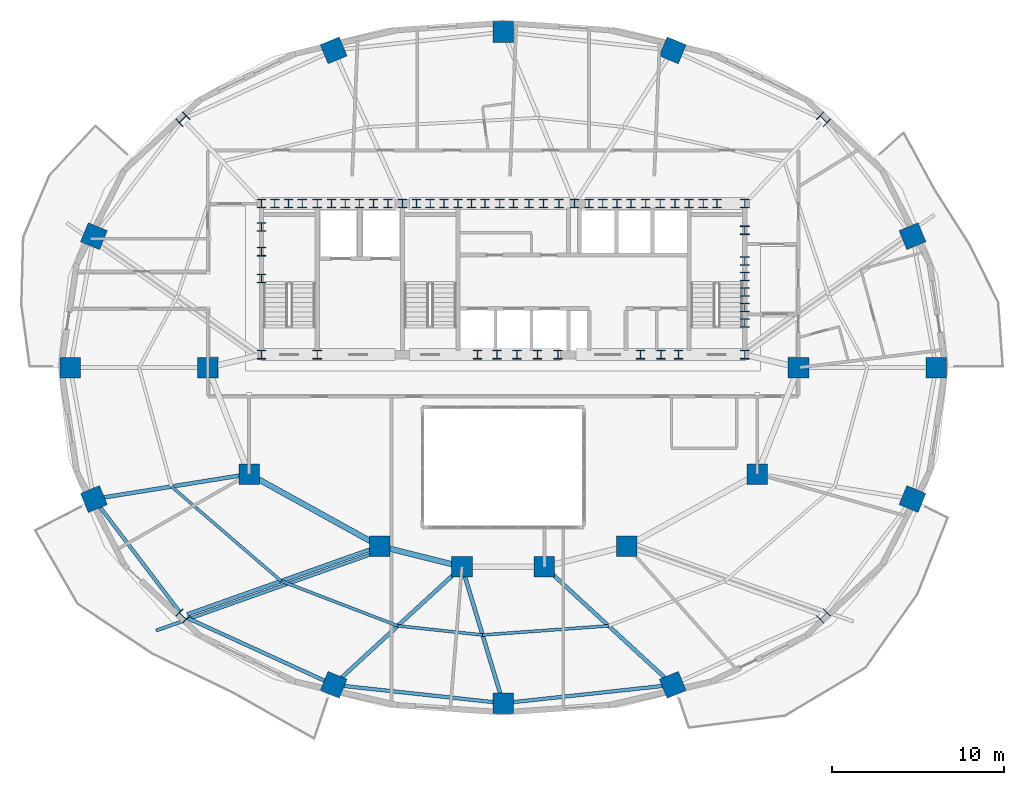
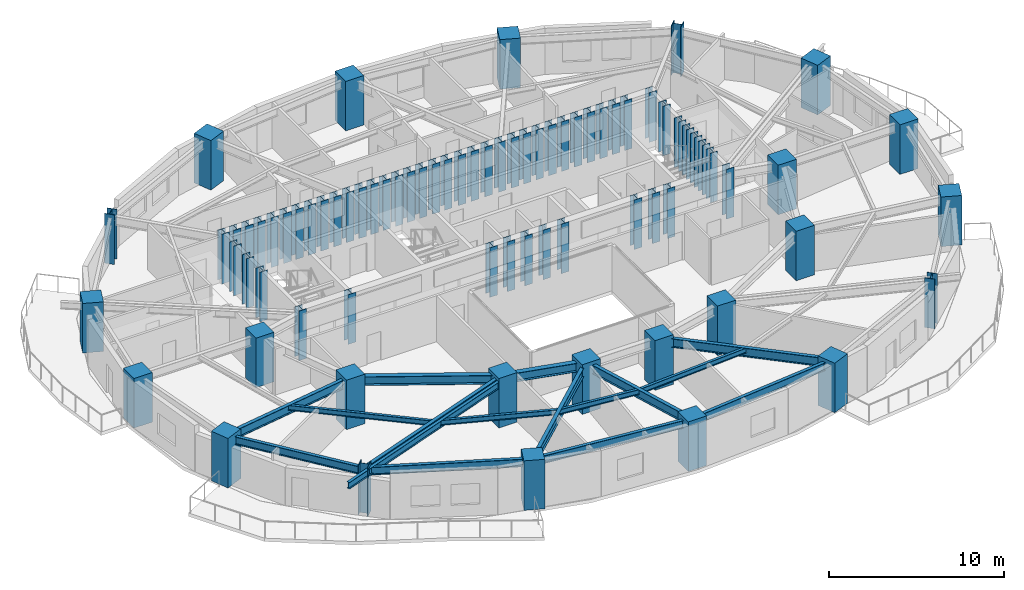
# One storey, part 1 of 13: 78 columns, 16 beams.
"""IFC4 building model written with IfcOpenShell, lengths in metres."""

import ifcopenshell
import ifcopenshell.guid

model = None  # the IFC model being written
_history = None  # IfcOwnerHistory: only IFC2X3 demands one
_inside = {}  # id of a spatial element -> (the spatial element, [elements in it])
_under = {}  # id of a project, library or spatial element -> (it, [spatial elements below it])
_declared = {}  # id of a project -> (the project, [libraries it declares])
_typed = {}  # id of a type object -> (the type object, [elements of that type])
_made_of = {}  # id of a material, layer set ... -> (it, [elements and type objects made of it])


def new_model(schema):
    """Start an empty IFC model of exactly this schema.

    Asked for "IFC4X3", IfcOpenShell would pick the latest addendum, in which some entities
    have other attributes; the version numbers below select the first issue.
    IFC2X3 requires an IfcOwnerHistory on every rooted entity: one is made here for all.
    """
    global model, _history
    if schema == "IFC4X3":
        model = ifcopenshell.file(schema_version=(4, 3, 0, 0))
    else:
        model = ifcopenshell.file(schema=schema)
    _inside.clear()
    _under.clear()
    _declared.clear()
    _typed.clear()
    _made_of.clear()
    _history = None
    if model.schema == "IFC2X3":
        org = make("IfcOrganization", Name="unknown")
        user = make(
            "IfcPersonAndOrganization",
            ThePerson=make("IfcPerson", FamilyName="unknown"),
            TheOrganization=org,
        )
        app = make(
            "IfcApplication",
            ApplicationDeveloper=org,
            Version="unknown",
            ApplicationFullName="unknown",
            ApplicationIdentifier="unknown",
        )
        _history = make(
            "IfcOwnerHistory",
            OwningUser=user,
            OwningApplication=app,
            ChangeAction="ADDED",
            CreationDate=0,
        )
    return model


def make(cls, **values):
    """One entity of the class cls with the attributes given. An attribute that is None is left unset."""
    return model.create_entity(
        cls, **{name: value for name, value in values.items() if value is not None}
    )


def rooted(cls, **values):
    """An entity with a GlobalId (a new one), such as an element, a storey or a relation."""
    return make(cls, GlobalId=ifcopenshell.guid.new(), OwnerHistory=_history, **values)


def si_unit(unit_type, name, prefix=None):
    """IfcSIUnit, for example si_unit("LENGTHUNIT", "METRE", prefix="MILLI")."""
    return make("IfcSIUnit", UnitType=unit_type, Prefix=prefix, Name=name)


def assignment(units):
    """IfcUnitAssignment: the units of a project."""
    return None if units is None else make("IfcUnitAssignment", Units=units)


def point(xyz):
    """IfcCartesianPoint."""
    return None if xyz is None else make("IfcCartesianPoint", Coordinates=xyz)


def direction(xyz):
    """IfcDirection."""
    return None if xyz is None else make("IfcDirection", DirectionRatios=xyz)


def frame(location, z_axis=None, x_axis=None):
    """IfcAxis2Placement3D, a coordinate frame: its origin and axes. An axis left out is left unset."""
    return make(
        "IfcAxis2Placement3D",
        Location=point(location),
        Axis=direction(z_axis),
        RefDirection=direction(x_axis),
    )


def frame_2d(location, x_axis=None):
    """IfcAxis2Placement2D, a coordinate frame in the plane: its origin and x axis."""
    return make(
        "IfcAxis2Placement2D", Location=point(location), RefDirection=direction(x_axis)
    )


def origin():
    """The frame at (0, 0, 0) with its axes left unset."""
    return frame((0.0, 0.0, 0.0))


def origin_2d():
    """The frame at (0, 0) in the plane with its x axis left unset."""
    return frame_2d((0.0, 0.0))


def place(relative_to, where):
    """IfcLocalPlacement: puts the frame where relative to a parent placement (None: the world)."""
    return make(
        "IfcLocalPlacement", PlacementRelTo=relative_to, RelativePlacement=where
    )


def context(
    kind, dimensions, precision=None, world=None, true_north=None, identifier=None
):
    """IfcGeometricRepresentationContext, for example the 3D "Model" context."""
    return make(
        "IfcGeometricRepresentationContext",
        ContextIdentifier=identifier,
        ContextType=kind,
        CoordinateSpaceDimension=dimensions,
        Precision=precision,
        WorldCoordinateSystem=world,
        TrueNorth=true_north,
    )


def subcontext(parent, identifier, kind, view, scale=None):
    """IfcGeometricRepresentationSubContext, for example "Body" below "Model"."""
    return make(
        "IfcGeometricRepresentationSubContext",
        ContextIdentifier=identifier,
        ContextType=kind,
        ParentContext=parent,
        TargetScale=scale,
        TargetView=view,
    )


def project(units=None, contexts=None):
    """IfcProject with its units and contexts."""
    return rooted(
        "IfcProject",
        Name="project",
        RepresentationContexts=contexts,
        UnitsInContext=assignment(units),
    )


def spatial(cls, under=None, at=None, **own):
    """A site, building, storey or space (cls), placed at a placement, below another one or the project."""
    s = rooted(cls, ObjectPlacement=at, **own)
    if under is not None:
        _under.setdefault(under.id(), (under, []))[1].append(s)
    return s


def profile(cls, at=None, kind="AREA", **sizes):
    """A parametric profile (cls). Its sizes go by their IFC names, for example OverallWidth=200.0."""
    return make(cls, ProfileType=kind, Position=at, **sizes)


def rectangle(**sizes):
    """IfcRectangleProfileDef."""
    return profile("IfcRectangleProfileDef", **sizes)


def i_section(**sizes):
    """IfcIShapeProfileDef."""
    return profile("IfcIShapeProfileDef", **sizes)


def extrude(swept, where, along, depth):
    """IfcExtrudedAreaSolid: the profile swept, set in the frame where, extruded along a direction by depth."""
    return make(
        "IfcExtrudedAreaSolid",
        SweptArea=swept,
        Position=where,
        ExtrudedDirection=direction(along),
        Depth=depth,
    )


def shape(context_of_items, identifier, shape_type, items):
    """IfcShapeRepresentation: the items that make up one representation, for example the "Body"."""
    return make(
        "IfcShapeRepresentation",
        ContextOfItems=context_of_items,
        RepresentationIdentifier=identifier,
        RepresentationType=shape_type,
        Items=items,
    )


def material(Name=None, Category=None):
    """IfcMaterial."""
    return make("IfcMaterial", Name=Name, Category=Category)


def material_profile(
    of_material, cross_section, Name=None, Category=None, Priority=None
):
    """IfcMaterialProfile: a cross section and its material."""
    return make(
        "IfcMaterialProfile",
        Name=Name,
        Material=of_material,
        Profile=cross_section,
        Priority=Priority,
        Category=Category,
    )


def profile_set(profiles, Name=None, composite=None):
    """IfcMaterialProfileSet."""
    return make(
        "IfcMaterialProfileSet",
        Name=Name,
        MaterialProfiles=profiles,
        CompositeProfile=composite,
    )


def made_of(thing, what):
    """Note that an element or type object is made of a material, layer set ...; save() writes the relation."""
    if what is not None:
        _made_of.setdefault(what.id(), (what, []))[1].append(thing)
    return thing


def type_object(cls, material=None, **own):
    """A type object (cls), such as IfcWallType, which elements share."""
    return made_of(rooted(cls, **own), material)


def element(
    cls,
    number,
    at=None,
    inside=None,
    cuts=None,
    type_object=None,
    material=None,
    context=None,
    identifier="Body",
    shape_type=None,
    held_by="IfcProductDefinitionShape",
    body=None,
    shapes=None,
    **own,
):
    """One element of the class cls, such as IfcWall. Its Tag is "e" and its number.

    at: its placement. inside: the storey or other place that contains it. cuts: it is an
    opening in that element (IfcRelVoidsElement). A single representation is given by context,
    identifier, shape_type and body (its items); several are given by shapes. held_by: the class
    of the entity that holds the representations. save() writes the other relations.
    """
    e = rooted(cls, Tag="e%d" % number, ObjectPlacement=at, **own)
    if body is not None:
        shapes = [shape(context, identifier, shape_type, body)]
    if shapes is not None:
        e.Representation = make(held_by, Representations=shapes)
    if inside is not None:
        _inside.setdefault(inside.id(), (inside, []))[1].append(e)
    if cuts is not None:
        rooted(
            "IfcRelVoidsElement", RelatingBuildingElement=cuts, RelatedOpeningElement=e
        )
    if type_object is not None:
        _typed.setdefault(type_object.id(), (type_object, []))[1].append(e)
    return made_of(e, material)


def aggregate(whole, parts):
    """IfcRelAggregates: a whole, such as a stair, and the parts it consists of."""
    return rooted("IfcRelAggregates", RelatingObject=whole, RelatedObjects=parts)


def save(model, path):
    """Write the relations noted so far, then the file.

    IfcRelAggregates (storeys below a building ...), IfcRelContainedInSpatialStructure (elements
    in a storey), IfcRelDefinesByType, IfcRelAssociatesMaterial and IfcRelDeclares: one each for
    every whole, place, type object, material and project.
    """
    for whole, parts in _under.values():
        aggregate(whole, parts)
    for where, things in _inside.values():
        rooted(
            "IfcRelContainedInSpatialStructure",
            RelatedElements=things,
            RelatingStructure=where,
        )
    for kind, things in _typed.values():
        rooted("IfcRelDefinesByType", RelatedObjects=things, RelatingType=kind)
    for what, things in _made_of.values():
        rooted("IfcRelAssociatesMaterial", RelatedObjects=things, RelatingMaterial=what)
    for by, libraries in _declared.values():
        rooted("IfcRelDeclares", RelatingContext=by, RelatedDefinitions=libraries)
    model.write(path)


model = new_model("IFC4")

# Units and contexts
model_context = context("Model", 3, precision=1e-05, world=origin(), true_north=direction((0.0, 1.0)))
body_context = subcontext(model_context, "Body", "Model", "MODEL_VIEW")
ifc_project = project(units=[si_unit("LENGTHUNIT", "METRE"), si_unit("AREAUNIT", "SQUARE_METRE"), si_unit("VOLUMEUNIT", "CUBIC_METRE"), si_unit("PLANEANGLEUNIT", "RADIAN"), si_unit("MASSUNIT", "GRAM", prefix="KILO")], contexts=[model_context])

# Site, building, storey
site_placement = place(None, origin())
site = spatial("IfcSite", under=ifc_project, at=site_placement, CompositionType="ELEMENT")
building_placement = place(site_placement, origin())
building = spatial("IfcBuilding", under=site, at=building_placement, Name="Haldorwick Loom Tower", CompositionType="ELEMENT")
storey_placement = place(building_placement, frame((0.0, 0.0, 135.64990234375)))
storey = spatial("IfcBuildingStorey", under=building, at=storey_placement, Name="L36", CompositionType="ELEMENT", Elevation=135.64990234375)

# Columns
ifc_material_1 = material(Name="Concrete C60 (60 MPa)", Category="concrete")
ifc_material_profile_1 = material_profile(ifc_material_1, rectangle(XDim=1.199951171875, YDim=1.199951171875, at=origin_2d()), Name="RC1200X1200", Category="concrete")
ifc_profile_set_1 = profile_set([ifc_material_profile_1], Name="Concrete C60 (60 MPa)")
column_type_1 = type_object("IfcColumnType", Name="STR-COL-RC1200", PredefinedType="COLUMN", material=ifc_profile_set_1)
for number, where, z_axis, x_axis, name in (
    (1, (53.199951171875, 26.0, 0.0), (0.0, 0.0, 1.0), (1.0, 0.0, 0.0), "L36 Inner Column IC-01"),
    (2, (50.800048828125, 19.800048828125, 0.0), (0.0, 0.0, 1.0), (1.0, 0.0, 0.0), "L36 Inner Column IC-02"),
    (3, (43.199951171875, 15.60009765625, 0.0), (0.0, 0.0, 1.0), (1.0, 0.0, 0.0), "L36 Inner Column IC-03"),
    (4, (38.39990234375, 14.39990234375, 0.0), (0.0, 0.0, 1.0), (1.0, 0.0, 0.0), "L36 Inner Column IC-04"),
    (5, (33.60009765625, 14.39990234375, 0.0), (0.0, 0.0, 1.0), (1.0, 0.0, 0.0), "L36 Inner Column IC-05"),
    (6, (28.800048828125, 15.60009765625, 0.0), (0.0, 0.0, 1.0), (1.0, 0.0, 0.0), "L36 Inner Column IC-06"),
    (7, (21.199951171875, 19.800048828125, 0.0), (0.0, 0.0, 1.0), (1.0, 0.0, 0.0), "L36 Inner Column IC-07"),
    (8, (18.800048828125, 26.0, 0.0), (0.0, 0.0, 1.0), (1.0, 0.0, 0.0), "L36 Inner Column IC-08"),
    (9, (61.217041015625, 26.0, 0.0), (0.0, 0.0, 1.0), (1.0, 0.0, 0.0), "L36 Perimeter Pier Column P01"),
    (10, (59.836181640625, 33.65380859375, 0.0), (0.0, 0.0, 1.0), (0.923879532511, 0.382683432365, 0.0), "L36 Perimeter Pier Column P02"),
    (11, (45.873291015625, 44.4775390625, 0.0), (0.0, 0.0, 1.0), (0.382683432365, 0.923879532511, 0.0), "L36 Perimeter Pier Column P04"),
    (12, (36.0, 45.544677734375, 0.0), (0.0, 0.0, 1.0), (0.0, 1.0, 0.0), "L36 Perimeter Pier Column P05"),
    (13, (26.126708984375, 44.4775390625, 0.0), (0.0, 0.0, 1.0), (-0.382683432365, 0.923879532511, 0.0), "L36 Perimeter Pier Column P06"),
    (14, (12.163818359375, 33.65380859375, 0.0), (0.0, 0.0, 1.0), (-0.923879532511, 0.382683432365, 0.0), "L36 Perimeter Pier Column P08"),
    (15, (10.782958984375, 26.0, 0.0), (0.0, 0.0, 1.0), (-1.0, 0.0, 0.0), "L36 Perimeter Pier Column P09"),
    (16, (12.163818359375, 18.34619140625, 0.0), (0.0, 0.0, 1.0), (-0.923879532511, -0.382683432365, 0.0), "L36 Perimeter Pier Column P10"),
    (17, (26.126708984375, 7.5224609375, 0.0), (0.0, 0.0, 1.0), (-0.382683432365, -0.923879532511, 0.0), "L36 Perimeter Pier Column P12"),
    (18, (36.0, 6.455322265625, 0.0), (0.0, 0.0, 1.0), (0.0, -1.0, 0.0), "L36 Perimeter Pier Column P13"),
    (19, (45.873291015625, 7.5224609375, 0.0), (0.0, 0.0, 1.0), (0.382683432365, -0.923879532511, 0.0), "L36 Perimeter Pier Column P14"),
    (20, (59.836181640625, 18.34619140625, 0.0), (0.0, 0.0, 1.0), (0.923879532511, -0.382683432365, 0.0), "L36 Perimeter Pier Column P16"),
):
    element("IfcColumn", number, at=place(storey_placement, frame(where, z_axis=z_axis, x_axis=x_axis)), inside=storey, type_object=column_type_1, Name=name, PredefinedType="COLUMN", context=body_context, shape_type="SweptSolid", body=[
        extrude(rectangle(XDim=1.199951171875, YDim=1.199951171875, at=origin_2d()), origin(), (0.0, 0.0, 1.0), 3.4501953125),
    ])
ifc_material_2 = material(Name="Steel CSA G40.21 350WT", Category="steel")
ifc_material_profile_2 = material_profile(ifc_material_2, i_section(OverallWidth=0.5, OverallDepth=0.5, WebThickness=0.02197265625, FlangeThickness=0.031982421875, at=origin_2d()), Name="WWF500X500", Category="steel")
ifc_profile_set_2 = profile_set([ifc_material_profile_2], Name="Steel CSA G40.21 350WT")
column_type_2 = type_object("IfcColumnType", Name="STR-COL-WWF500", PredefinedType="COLUMN", material=ifc_profile_set_2)
for number, where, z_axis, x_axis, name in (
    (21, (21.929931640625, 35.550048828125, 0.0), (0.0, 0.0, 1.0), (1.0, 0.0, 0.0), "L36 Core Pilaster CB-01"),
    (22, (23.5, 35.550048828125, 0.0), (0.0, 0.0, 1.0), (1.0, 0.0, 0.0), "L36 Core Pilaster CB-02"),
    (23, (25.169921875, 35.550048828125, 0.0), (0.0, 0.0, 1.0), (1.0, 0.0, 0.0), "L36 Core Pilaster CB-03"),
    (24, (26.800048828125, 35.550048828125, 0.0), (0.0, 0.0, 1.0), (1.0, 0.0, 0.0), "L36 Core Pilaster CB-04"),
    (25, (28.449951171875, 35.550048828125, 0.0), (0.0, 0.0, 1.0), (1.0, 0.0, 0.0), "L36 Core Pilaster CB-05"),
    (26, (30.1298828125, 35.550048828125, 0.0), (0.0, 0.0, 1.0), (1.0, 0.0, 0.0), "L36 Core Pilaster CB-06"),
    (27, (31.75, 35.550048828125, 0.0), (0.0, 0.0, 1.0), (1.0, 0.0, 0.0), "L36 Core Pilaster CB-07"),
    (28, (33.3701171875, 35.550048828125, 0.0), (0.0, 0.0, 1.0), (1.0, 0.0, 0.0), "L36 Core Pilaster CB-08"),
    (29, (34.949951171875, 35.550048828125, 0.0), (0.0, 0.0, 1.0), (1.0, 0.0, 0.0), "L36 Core Pilaster CB-09"),
    (30, (36.60009765625, 35.550048828125, 0.0), (0.0, 0.0, 1.0), (1.0, 0.0, 0.0), "L36 Core Pilaster CB-10"),
    (31, (38.35009765625, 35.550048828125, 0.0), (0.0, 0.0, 1.0), (1.0, 0.0, 0.0), "L36 Core Pilaster CB-11"),
    (32, (40.14990234375, 35.550048828125, 0.0), (0.0, 0.0, 1.0), (1.0, 0.0, 0.0), "L36 Core Pilaster CB-12"),
    (33, (41.800048828125, 35.550048828125, 0.0), (0.0, 0.0, 1.0), (1.0, 0.0, 0.0), "L36 Core Pilaster CB-13"),
    (34, (43.449951171875, 35.550048828125, 0.0), (0.0, 0.0, 1.0), (1.0, 0.0, 0.0), "L36 Core Pilaster CB-14"),
    (35, (45.14990234375, 35.550048828125, 0.0), (0.0, 0.0, 1.0), (1.0, 0.0, 0.0), "L36 Core Pilaster CB-15"),
    (36, (46.830078125, 35.550048828125, 0.0), (0.0, 0.0, 1.0), (1.0, 0.0, 0.0), "L36 Core Pilaster CB-16"),
    (37, (48.449951171875, 35.550048828125, 0.0), (0.0, 0.0, 1.0), (1.0, 0.0, 0.0), "L36 Core Pilaster CB-17"),
    (38, (50.070068359375, 35.550048828125, 0.0), (0.0, 0.0, 1.0), (1.0, 0.0, 0.0), "L36 Core Pilaster CB-18"),
    (39, (21.929931640625, 26.75, 0.0), (0.0, 0.0, 1.0), (1.0, 0.0, 0.0), "L36 Core Pilaster CB-19"),
    (40, (25.169921875, 26.75, 0.0), (0.0, 0.0, 1.0), (1.0, 0.0, 0.0), "L36 Core Pilaster CB-20"),
    (41, (34.5, 26.75, 0.0), (0.0, 0.0, 1.0), (1.0, 0.0, 0.0), "L36 Core Pilaster CB-21"),
    (42, (36.800048828125, 26.75, 0.0), (0.0, 0.0, 1.0), (1.0, 0.0, 0.0), "L36 Core Pilaster CB-22"),
    (43, (39.199951171875, 26.75, 0.0), (0.0, 0.0, 1.0), (1.0, 0.0, 0.0), "L36 Core Pilaster CB-23"),
    (44, (45.199951171875, 26.75, 0.0), (0.0, 0.0, 1.0), (1.0, 0.0, 0.0), "L36 Core Pilaster CB-24"),
    (45, (50.070068359375, 26.75, 0.0), (0.0, 0.0, 1.0), (1.0, 0.0, 0.0), "L36 Core Pilaster CB-25"),
    (46, (21.929931640625, 31.199951171875, 0.0), (0.0, 0.0, 1.0), (1.0, 0.0, 0.0), "L36 Core Pilaster CB-26"),
    (47, (21.929931640625, 32.75, 0.0), (0.0, 0.0, 1.0), (1.0, 0.0, 0.0), "L36 Core Pilaster CB-27"),
    (48, (21.929931640625, 34.199951171875, 0.0), (0.0, 0.0, 1.0), (1.0, 0.0, 0.0), "L36 Core Pilaster CB-28"),
    (49, (50.070068359375, 28.60009765625, 0.0), (0.0, 0.0, 1.0), (1.0, 0.0, 0.0), "L36 Core Pilaster CB-29"),
    (50, (50.070068359375, 30.39990234375, 0.0), (0.0, 0.0, 1.0), (1.0, 0.0, 0.0), "L36 Core Pilaster CB-30"),
    (51, (50.070068359375, 32.199951171875, 0.0), (0.0, 0.0, 1.0), (1.0, 0.0, 0.0), "L36 Core Pilaster CB-31"),
    (52, (50.070068359375, 34.0, 0.0), (0.0, 0.0, 1.0), (1.0, 0.0, 0.0), "L36 Core Pilaster CB-32"),
    (53, (22.699951171875, 35.550048828125, 0.0), (0.0, 0.0, 1.0), (1.0, 0.0, 0.0), "L36 Core Pilaster CB-33"),
    (54, (27.6201171875, 35.550048828125, 0.0), (0.0, 0.0, 1.0), (1.0, 0.0, 0.0), "L36 Core Pilaster CB-34"),
    (55, (32.550048828125, 35.550048828125, 0.0), (0.0, 0.0, 1.0), (1.0, 0.0, 0.0), "L36 Core Pilaster CB-35"),
    (56, (37.5, 35.550048828125, 0.0), (0.0, 0.0, 1.0), (1.0, 0.0, 0.0), "L36 Core Pilaster CB-36"),
    (57, (42.6201171875, 35.550048828125, 0.0), (0.0, 0.0, 1.0), (1.0, 0.0, 0.0), "L36 Core Pilaster CB-37"),
    (58, (47.64990234375, 35.550048828125, 0.0), (0.0, 0.0, 1.0), (1.0, 0.0, 0.0), "L36 Core Pilaster CB-38"),
    (59, (24.300048828125, 35.550048828125, 0.0), (0.0, 0.0, 1.0), (1.0, 0.0, 0.0), "L36 Core Pilaster CB-39"),
    (60, (26.0, 35.550048828125, 0.0), (0.0, 0.0, 1.0), (1.0, 0.0, 0.0), "L36 Core Pilaster CB-40"),
    (61, (29.300048828125, 35.550048828125, 0.0), (0.0, 0.0, 1.0), (1.0, 0.0, 0.0), "L36 Core Pilaster CB-41"),
    (62, (30.949951171875, 35.550048828125, 0.0), (0.0, 0.0, 1.0), (1.0, 0.0, 0.0), "L36 Core Pilaster CB-42"),
    (63, (34.14990234375, 35.550048828125, 0.0), (0.0, 0.0, 1.0), (1.0, 0.0, 0.0), "L36 Core Pilaster CB-43"),
    (64, (35.800048828125, 35.550048828125, 0.0), (0.0, 0.0, 1.0), (1.0, 0.0, 0.0), "L36 Core Pilaster CB-44"),
    (65, (39.25, 35.550048828125, 0.0), (0.0, 0.0, 1.0), (1.0, 0.0, 0.0), "L36 Core Pilaster CB-45"),
    (66, (41.0, 35.550048828125, 0.0), (0.0, 0.0, 1.0), (1.0, 0.0, 0.0), "L36 Core Pilaster CB-46"),
    (67, (44.300048828125, 35.550048828125, 0.0), (0.0, 0.0, 1.0), (1.0, 0.0, 0.0), "L36 Core Pilaster CB-47"),
    (68, (46.0, 35.550048828125, 0.0), (0.0, 0.0, 1.0), (1.0, 0.0, 0.0), "L36 Core Pilaster CB-48"),
    (69, (50.070068359375, 29.5, 0.0), (0.0, 0.0, 1.0), (1.0, 0.0, 0.0), "L36 Core Pilaster CB-49"),
    (70, (50.070068359375, 31.300048828125, 0.0), (0.0, 0.0, 1.0), (1.0, 0.0, 0.0), "L36 Core Pilaster CB-50"),
    (71, (35.64990234375, 26.75, 0.0), (0.0, 0.0, 1.0), (1.0, 0.0, 0.0), "L36 Core Pilaster CB-51"),
    (72, (38.0, 26.75, 0.0), (0.0, 0.0, 1.0), (1.0, 0.0, 0.0), "L36 Core Pilaster CB-52"),
    (73, (44.0, 26.75, 0.0), (0.0, 0.0, 1.0), (1.0, 0.0, 0.0), "L36 Core Pilaster CB-53"),
    (74, (46.199951171875, 26.75, 0.0), (0.0, 0.0, 1.0), (1.0, 0.0, 0.0), "L36 Core Pilaster CB-54"),
):
    element("IfcColumn", number, at=place(storey_placement, frame(where, z_axis=z_axis, x_axis=x_axis)), inside=storey, type_object=column_type_2, Name=name, PredefinedType="COLUMN", context=body_context, shape_type="SweptSolid", body=[
        extrude(i_section(OverallWidth=0.5, OverallDepth=0.5, WebThickness=0.02197265625, FlangeThickness=0.031982421875, at=origin_2d()), origin(), (0.0, 0.0, 1.0), 3.4501953125),
    ])
ifc_material_profile_3 = material_profile(ifc_material_2, i_section(OverallWidth=0.60009765625, OverallDepth=0.60009765625, WebThickness=0.02490234375, FlangeThickness=0.035888671875, at=origin_2d()), Name="WWF600X600", Category="steel")
ifc_profile_set_3 = profile_set([ifc_material_profile_3], Name="Steel CSA G40.21 350WT")
column_type_3 = type_object("IfcColumnType", Name="STR-COL-WWF600", PredefinedType="COLUMN", material=ifc_profile_set_3)
for number, where, z_axis, x_axis, name in (
    (75, (54.655517578125, 40.464111328125, 0.0), (0.0, 0.0, 1.0), (0.707106781187, 0.707106781187, 0.0), "L36 Perimeter Pier Column P03"),
    (76, (17.344482421875, 40.464111328125, 0.0), (0.0, 0.0, 1.0), (-0.707106781187, 0.707106781187, 0.0), "L36 Perimeter Pier Column P07"),
    (77, (17.344482421875, 11.535888671875, 0.0), (0.0, 0.0, 1.0), (-0.707106781187, -0.707106781187, 0.0), "L36 Perimeter Pier Column P11"),
    (78, (54.655517578125, 11.535888671875, 0.0), (0.0, 0.0, 1.0), (0.707106781187, -0.707106781187, 0.0), "L36 Perimeter Pier Column P15"),
):
    element("IfcColumn", number, at=place(storey_placement, frame(where, z_axis=z_axis, x_axis=x_axis)), inside=storey, type_object=column_type_3, Name=name, PredefinedType="COLUMN", context=body_context, shape_type="SweptSolid", body=[
        extrude(i_section(OverallWidth=0.60009765625, OverallDepth=0.60009765625, WebThickness=0.02490234375, FlangeThickness=0.035888671875, at=origin_2d()), origin(), (0.0, 0.0, 1.0), 3.4501953125),
    ])

# Beams
ifc_material_3 = material(Name="Steel CSA G40.21 350W", Category="steel")
ifc_material_profile_4 = material_profile(ifc_material_3, i_section(OverallWidth=0.193115234375, OverallDepth=0.466064453125, WebThickness=0.011474609375, FlangeThickness=0.01904296875, at=origin_2d()), Name="W460X97", Category="steel")
ifc_profile_set_4 = profile_set([ifc_material_profile_4], Name="Steel CSA G40.21 350W")
beam_type_1 = type_object("IfcBeamType", Name="STR-BM-BAL460", PredefinedType="BEAM", material=ifc_profile_set_4)
beam_1_placement = place(storey_placement, frame((28.403564453125, 15.162109375, 2.97705078125), z_axis=(-0.942447955832, -0.334352883266, 0.0), x_axis=(0.334352883266, -0.942447955832, 0.0)))
element("IfcBeam", 79, at=beam_1_placement, inside=storey, type_object=beam_type_1, Name="L36 Continuous Back-Spanned Balcony Beam 2", PredefinedType="BEAM", context=body_context, shape_type="SweptSolid", body=[
    extrude(i_section(OverallWidth=0.193115234375, OverallDepth=0.466064453125, WebThickness=0.011474609375, FlangeThickness=0.01904296875, at=origin_2d()), origin(), (0.0, 0.0, 1.0), 13.385009765625),
])
ifc_material_profile_5 = material_profile(ifc_material_3, i_section(OverallWidth=0.172119140625, OverallDepth=0.35791015625, WebThickness=0.0078125, FlangeThickness=0.01318359375, at=origin_2d()), Name="W360X57", Category="steel")
ifc_profile_set_5 = profile_set([ifc_material_profile_5], Name="Steel CSA G40.21 350W")
beam_type_2 = type_object("IfcBeamType", Name="STR-BM-J360", PredefinedType="JOIST", material=ifc_profile_set_5)
beam_2_placement = place(storey_placement, frame((16.681884765625, 19.072998046875, 3.031005859375), z_axis=(0.75763401328, -0.652679631918, 0.0), x_axis=(0.652679631918, 0.75763401328, 0.0)))
element("IfcBeam", 80, at=beam_2_placement, inside=storey, type_object=beam_type_2, Name="L36 Mid-Bay Secondary Joist 10", PredefinedType="JOIST", context=body_context, shape_type="SweptSolid", body=[
    extrude(i_section(OverallWidth=0.172119140625, OverallDepth=0.35791015625, WebThickness=0.0078125, FlangeThickness=0.01318359375, at=origin_2d()), origin(), (0.0, 0.0, 1.0), 8.4345703125),
])
beam_3_placement = place(storey_placement, frame((23.072265625, 13.56787109375, 3.031005859375), z_axis=(0.933586737031, -0.358351509609, 0.0), x_axis=(0.358351509609, 0.933586737031, 0.0)))
element("IfcBeam", 81, at=beam_3_placement, inside=storey, type_object=beam_type_2, Name="L36 Mid-Bay Secondary Joist 11", PredefinedType="JOIST", context=body_context, shape_type="SweptSolid", body=[
    extrude(i_section(OverallWidth=0.172119140625, OverallDepth=0.35791015625, WebThickness=0.0078125, FlangeThickness=0.01318359375, at=origin_2d()), origin(), (0.0, 0.0, 1.0), 7.274169921875),
])
beam_4_placement = place(storey_placement, frame((29.86328125, 10.961181640625, 3.031005859375), z_axis=(0.994212584227, -0.107430616514, 0.0), x_axis=(0.107430616514, 0.994212584227, 0.0)))
element("IfcBeam", 82, at=beam_4_placement, inside=storey, type_object=beam_type_2, Name="L36 Mid-Bay Secondary Joist 12", PredefinedType="JOIST", context=body_context, shape_type="SweptSolid", body=[
    extrude(i_section(OverallWidth=0.172119140625, OverallDepth=0.35791015625, WebThickness=0.0078125, FlangeThickness=0.01318359375, at=origin_2d()), origin(), (0.0, 0.0, 1.0), 4.965576171875),
])
beam_5_placement = place(storey_placement, frame((34.800048828125, 10.427734375, 3.031005859375), z_axis=(0.997367082818, 0.072518288109, 0.0), x_axis=(-0.072518288109, 0.997367082818, 0.0)))
element("IfcBeam", 83, at=beam_5_placement, inside=storey, type_object=beam_type_2, Name="L36 Mid-Bay Secondary Joist 13", PredefinedType="JOIST", context=body_context, shape_type="SweptSolid", body=[
    extrude(i_section(OverallWidth=0.172119140625, OverallDepth=0.35791015625, WebThickness=0.0078125, FlangeThickness=0.01318359375, at=origin_2d()), origin(), (0.0, 0.0, 1.0), 7.35595703125),
])
ifc_material_profile_6 = material_profile(ifc_material_3, i_section(OverallWidth=0.2119140625, OverallDepth=0.5439453125, WebThickness=0.01318359375, FlangeThickness=0.021240234375, at=origin_2d()), Name="W530X123", Category="steel")
ifc_profile_set_6 = profile_set([ifc_material_profile_6], Name="Steel CSA G40.21 350W")
beam_type_3 = type_object("IfcBeamType", Name="STR-BM-SP530", PredefinedType="SPANDREL", material=ifc_profile_set_6)
beam_6_placement = place(storey_placement, frame((12.478759765625, 17.932373046875, 2.93798828125), z_axis=(0.605421356486, -0.795905133236, 0.0), x_axis=(0.795905133236, 0.605421356486, 0.0)))
element("IfcBeam", 84, at=beam_6_placement, inside=storey, type_object=beam_type_3, Name="L36 Perimeter Spandrel 10", PredefinedType="SPANDREL", context=body_context, shape_type="SweptSolid", body=[
    extrude(i_section(OverallWidth=0.2119140625, OverallDepth=0.5439453125, WebThickness=0.01318359375, FlangeThickness=0.021240234375, at=origin_2d()), origin(), (0.0, 0.0, 1.0), 7.761962890625),
])
beam_7_placement = place(storey_placement, frame((17.594482421875, 11.42138671875, 2.93798828125), z_axis=(0.909534296496, -0.415628877121, 0.0), x_axis=(0.415628877121, 0.909534296496, 0.0)))
element("IfcBeam", 85, at=beam_7_placement, inside=storey, type_object=beam_type_3, Name="L36 Perimeter Spandrel 11", PredefinedType="SPANDREL", context=body_context, shape_type="SweptSolid", body=[
    extrude(i_section(OverallWidth=0.2119140625, OverallDepth=0.5439453125, WebThickness=0.01318359375, FlangeThickness=0.021240234375, at=origin_2d()), origin(), (0.0, 0.0, 1.0), 8.86083984375),
])
for number, where, z_axis, x_axis, name in (
    (86, (26.643798828125, 7.466552734375, 2.93798828125), (0.994210140187, -0.107453232386, 0.0), (0.107453232386, 0.994210140187, 0.0), "L36 Perimeter Spandrel 12"),
    (87, (36.51708984375, 6.51123046875, 2.93798828125), (0.994210140187, 0.107453232386, 0.0), (-0.107453232386, 0.994210140187, 0.0), "L36 Perimeter Spandrel 13"),
):
    element("IfcBeam", number, at=place(storey_placement, frame(where, z_axis=z_axis, x_axis=x_axis)), inside=storey, type_object=beam_type_3, Name=name, PredefinedType="SPANDREL", context=body_context, shape_type="SweptSolid", body=[
        extrude(i_section(OverallWidth=0.2119140625, OverallDepth=0.5439453125, WebThickness=0.01318359375, FlangeThickness=0.021240234375, at=origin_2d()), origin(), (0.0, 0.0, 1.0), 8.890625),
    ])
ifc_material_profile_7 = material_profile(ifc_material_3, i_section(OverallWidth=0.324951171875, OverallDepth=0.615966796875, WebThickness=0.013916015625, FlangeThickness=0.021484375, at=origin_2d()), Name="W610X174", Category="steel")
ifc_profile_set_7 = profile_set([ifc_material_profile_7], Name="Steel CSA G40.21 350W")
beam_type_4 = type_object("IfcBeamType", Name="STR-BM-W610A", PredefinedType="BEAM", material=ifc_profile_set_7)
beam_8_placement = place(storey_placement, frame((33.095458984375, 14.526123046875, 2.902099609375), z_axis=(-0.970142500145, 0.242535625036, 0.0), x_axis=(-0.242535625036, -0.970142500145, 0.0)))
element("IfcBeam", 88, at=beam_8_placement, inside=storey, type_object=beam_type_4, Name="L36 Inner Ring Girder 6", PredefinedType="BEAM", context=body_context, shape_type="SweptSolid", body=[
    extrude(i_section(OverallWidth=0.324951171875, OverallDepth=0.615966796875, WebThickness=0.013916015625, FlangeThickness=0.021484375, at=origin_2d()), origin(), (0.0, 0.0, 1.0), 3.90771484375),
])
beam_9_placement = place(storey_placement, frame((28.344970703125, 15.8515625, 2.902099609375), z_axis=(-0.875244382146, 0.483680960471, 0.0), x_axis=(-0.483680960471, -0.875244382146, 0.0)))
element("IfcBeam", 89, at=beam_9_placement, inside=storey, type_object=beam_type_4, Name="L36 Inner Ring Girder 7", PredefinedType="BEAM", context=body_context, shape_type="SweptSolid", body=[
    extrude(i_section(OverallWidth=0.324951171875, OverallDepth=0.615966796875, WebThickness=0.013916015625, FlangeThickness=0.021484375, at=origin_2d()), origin(), (0.0, 0.0, 1.0), 7.6435546875),
])
ifc_material_profile_8 = material_profile(ifc_material_3, i_section(OverallWidth=0.22998046875, OverallDepth=0.616943359375, WebThickness=0.01318359375, FlangeThickness=0.022216796875, at=origin_2d()), Name="W610X140", Category="steel")
ifc_profile_set_8 = profile_set([ifc_material_profile_8], Name="Steel CSA G40.21 350W")
beam_type_5 = type_object("IfcBeamType", Name="STR-BM-W610B", PredefinedType="BEAM", material=ifc_profile_set_8)
beam_10_placement = place(storey_placement, frame((20.6865234375, 19.71728515625, 2.901611328125), z_axis=(-0.987308639475, -0.158813256432, 0.0), x_axis=(0.158813256432, -0.987308639475, 0.0)))
element("IfcBeam", 90, at=beam_10_placement, inside=storey, type_object=beam_type_5, Name="L36 Radial Floor Girder 10", PredefinedType="BEAM", context=body_context, shape_type="SweptSolid", body=[
    extrude(i_section(OverallWidth=0.22998046875, OverallDepth=0.616943359375, WebThickness=0.01318359375, FlangeThickness=0.022216796875, at=origin_2d()), origin(), (0.0, 0.0, 1.0), 8.1123046875),
])
beam_11_placement = place(storey_placement, frame((28.309814453125, 15.426025390625, 2.901611328125), z_axis=(-0.9424463153, -0.334357507433, 0.0), x_axis=(0.334357507433, -0.9424463153, 0.0)))
element("IfcBeam", 91, at=beam_11_placement, inside=storey, type_object=beam_type_5, Name="L36 Radial Floor Girder 11", PredefinedType="BEAM", context=body_context, shape_type="SweptSolid", body=[
    extrude(i_section(OverallWidth=0.22998046875, OverallDepth=0.616943359375, WebThickness=0.01318359375, FlangeThickness=0.022216796875, at=origin_2d()), origin(), (0.0, 0.0, 1.0), 11.360107421875),
])
beam_12_placement = place(storey_placement, frame((33.21728515625, 14.0478515625, 2.901611328125), z_axis=(-0.735810902934, -0.677187060658, 0.0), x_axis=(0.677187060658, -0.735810902934, 0.0)))
element("IfcBeam", 92, at=beam_12_placement, inside=storey, type_object=beam_type_5, Name="L36 Radial Floor Girder 12", PredefinedType="BEAM", context=body_context, shape_type="SweptSolid", body=[
    extrude(i_section(OverallWidth=0.22998046875, OverallDepth=0.616943359375, WebThickness=0.01318359375, FlangeThickness=0.022216796875, at=origin_2d()), origin(), (0.0, 0.0, 1.0), 9.1162109375),
])
beam_13_placement = place(storey_placement, frame((33.75048828125, 13.902099609375, 2.901611328125), z_axis=(0.28917091681, -0.957277483738, 0.0), x_axis=(0.957277483738, 0.28917091681, 0.0)))
element("IfcBeam", 93, at=beam_13_placement, inside=storey, type_object=beam_type_5, Name="L36 Radial Floor Girder 13", PredefinedType="BEAM", context=body_context, shape_type="SweptSolid", body=[
    extrude(i_section(OverallWidth=0.22998046875, OverallDepth=0.616943359375, WebThickness=0.01318359375, FlangeThickness=0.022216796875, at=origin_2d()), origin(), (0.0, 0.0, 1.0), 7.259033203125),
])
beam_14_placement = place(storey_placement, frame((38.78271484375, 14.0478515625, 2.901611328125), z_axis=(0.735810902934, -0.677187060658, 0.0), x_axis=(0.677187060658, 0.735810902934, 0.0)))
element("IfcBeam", 94, at=beam_14_placement, inside=storey, type_object=beam_type_5, Name="L36 Radial Floor Girder 14", PredefinedType="BEAM", context=body_context, shape_type="SweptSolid", body=[
    extrude(i_section(OverallWidth=0.22998046875, OverallDepth=0.616943359375, WebThickness=0.01318359375, FlangeThickness=0.022216796875, at=origin_2d()), origin(), (0.0, 0.0, 1.0), 9.1162109375),
])

save(model, "model.ifc")
